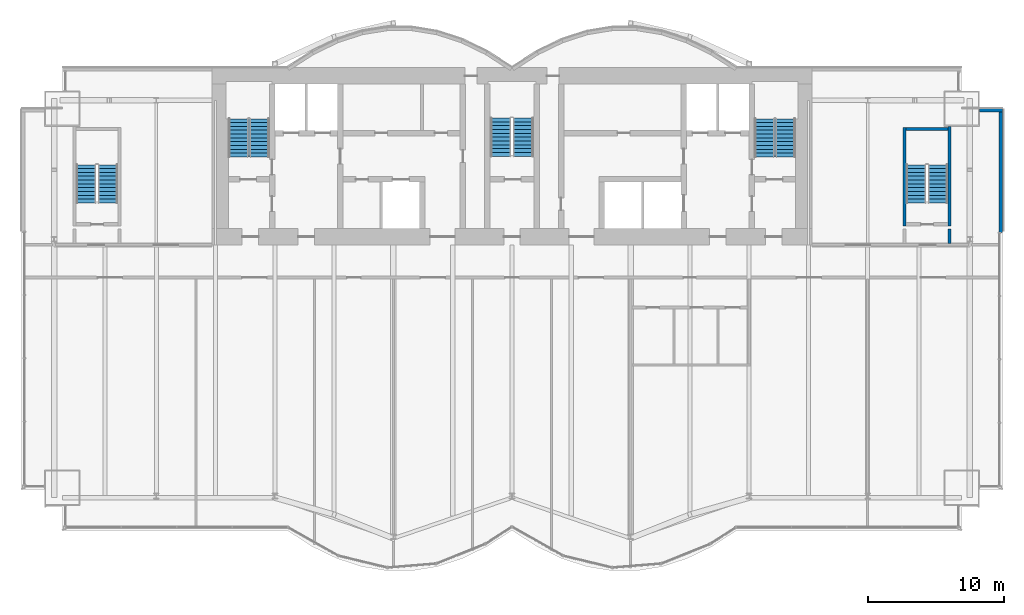
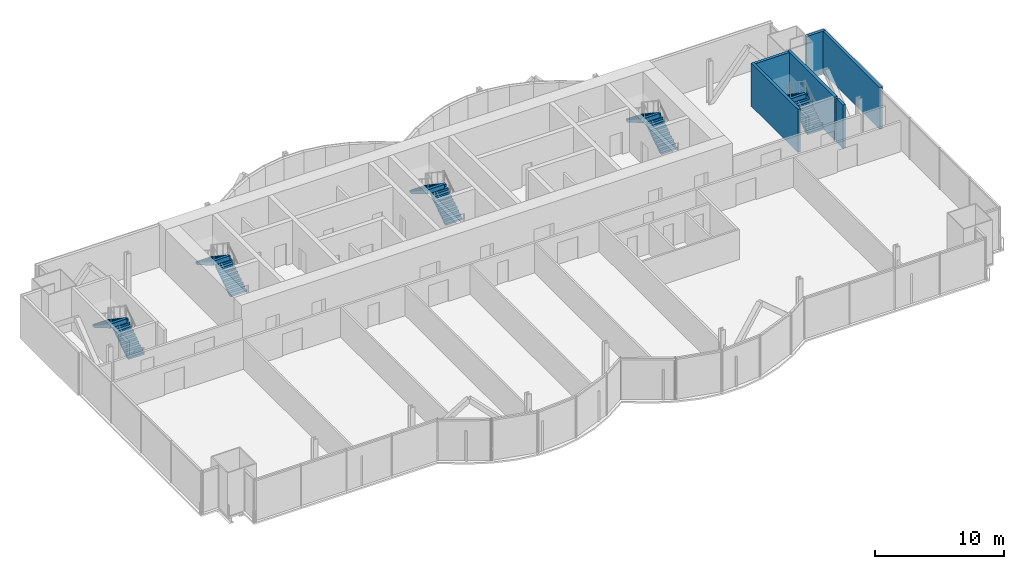
# One storey, part 17 of 20: 10 stair flights, 6 walls, 5 elements without a shape of their own.
"""IFC4 building model written with IfcOpenShell, lengths in metres."""

from ifc_helpers import new_model, si_unit, direction, frame, frame_2d, origin, place, context, subcontext, project, spatial, polyline, rectangle, outline, extrude, material, layer, layer_set, layer_usage, type_object, element, aggregate, save


model = new_model("IFC4")

# Units and contexts
model_context = context("Model", 3, precision=1e-05, world=origin(), true_north=direction((0.0, 1.0)))
body_context = subcontext(model_context, "Body", "Model", "MODEL_VIEW")
ifc_project = project(units=[si_unit("LENGTHUNIT", "METRE"), si_unit("AREAUNIT", "SQUARE_METRE"), si_unit("VOLUMEUNIT", "CUBIC_METRE"), si_unit("PLANEANGLEUNIT", "RADIAN"), si_unit("MASSUNIT", "GRAM", prefix="KILO")], contexts=[model_context])

# Site, building, storey
site_placement = place(None, origin())
site = spatial("IfcSite", under=ifc_project, at=site_placement, CompositionType="ELEMENT")
building_placement = place(site_placement, origin())
building = spatial("IfcBuilding", under=site, at=building_placement, Name="Bicima Exchange Tower", CompositionType="ELEMENT")
storey_placement = place(building_placement, frame((0.0, 0.0, 177.300048828125)))
storey = spatial("IfcBuildingStorey", under=building, at=storey_placement, Name="L39", CompositionType="ELEMENT", Elevation=177.300048828125)

# Walls
ifc_material_1 = material(Name="Concrete C50/60", Category="concrete")
ifc_layer_1 = layer(ifc_material_1, 0.25)
ifc_layer_set_1 = layer_set([ifc_layer_1], Name="Concrete C50/60")
wall_type_1 = type_object("IfcWallType", Name="RC core wall 250 C50/60", PredefinedType="SHEAR", material=ifc_layer_set_1)
wall_1_placement = place(storey_placement, frame((32.10009765625, -12.89990234375, 0.0), z_axis=(0.0, 0.0, 1.0), x_axis=(0.0, 1.0, 0.0)))
element("IfcWall", 1, at=wall_1_placement, inside=storey, type_object=wall_type_1, Name="stair wall 28", PredefinedType="SHEAR", context=body_context, shape_type="SweptSolid", body=[
    extrude(rectangle(XDim=1.0498046875, YDim=0.25, at=frame_2d((0.52490234375, 0.0))), origin(), (0.0, 0.0, 1.0), 4.099853515625),
])
ifc_layer_2 = layer(ifc_material_1, 0.25)
ifc_layer_set_2 = layer_set([ifc_layer_2], Name="Concrete C50/60")
wall_type_2 = type_object("IfcWallType", Name="RC stair enclosure wall 250 C50/60", PredefinedType="SHEAR", material=ifc_layer_set_2)
wall_2_placement = place(storey_placement, frame((28.800048828125, -11.625, 0.0), z_axis=(0.0, 0.0, 1.0), x_axis=(0.0, 1.0, 0.0)))
element("IfcWall", 2, at=wall_2_placement, inside=storey, type_object=wall_type_2, Name="East end exit stair wall W", PredefinedType="SHEAR", context=body_context, shape_type="SweptSolid", body=[
    extrude(rectangle(XDim=7.25, YDim=0.25, at=frame_2d((3.625, 0.0))), origin(), (0.0, 0.0, 1.0), 4.099853515625),
])
wall_3_placement = place(storey_placement, frame((32.10009765625, -11.625, 0.0), z_axis=(0.0, 0.0, 1.0), x_axis=(0.0, 1.0, 0.0)))
element("IfcWall", 3, at=wall_3_placement, inside=storey, type_object=wall_type_2, Name="East end exit stair wall E", PredefinedType="SHEAR", context=body_context, shape_type="SweptSolid", body=[
    extrude(rectangle(XDim=7.324951171875, YDim=0.25, at=frame_2d((3.66259765625, 0.0))), origin(), (0.0, 0.0, 1.0), 4.099853515625),
])
wall_4_placement = place(storey_placement, frame((28.925048828125, -4.5, 0.0), z_axis=(0.0, 0.0, 1.0), x_axis=(1.0, 0.0, 0.0)))
element("IfcWall", 4, at=wall_4_placement, inside=storey, type_object=wall_type_2, Name="East end exit stair wall N", PredefinedType="SHEAR", context=body_context, shape_type="SweptSolid", body=[
    extrude(rectangle(XDim=3.050048828125, YDim=0.25, at=frame_2d((1.52490234375, 0.0))), origin(), (0.0, 0.0, 1.0), 4.099853515625),
])
ifc_material_2 = material(Name="Concrete C40/50", Category="concrete")
ifc_layer_3 = layer(ifc_material_2, 0.25)
ifc_layer_set_3 = layer_set([ifc_layer_3], Name="Concrete C40/50")
ifc_layer_usage = layer_usage(ifc_layer_set_3, "AXIS2", "POSITIVE", -0.125)
wall_type_3 = type_object("IfcWallType", Name="Rear backup wall 250", PredefinedType="STANDARD", material=ifc_layer_set_3)
wall_5_placement = place(storey_placement, frame((35.875, -12.090087890625, 0.0), z_axis=(0.0, 0.0, 1.0), x_axis=(0.0, 1.0, 0.0)))
element("IfcWall", 5, at=wall_5_placement, inside=storey, type_object=wall_type_3, material=ifc_layer_usage, Name="Rear backup wall L39 50", PredefinedType="STANDARD", context=body_context, shape_type="SweptSolid", body=[
    extrude(rectangle(XDim=9.090087890625, YDim=0.25, at=frame_2d((4.544921875, 0.0))), origin(), (0.0, 0.0, 1.0), 3.949951171875),
])
wall_6_placement = place(storey_placement, frame((36.0, -3.125, 0.0), z_axis=(0.0, 0.0, 1.0), x_axis=(-1.0, 0.0, 0.0)))
element("IfcWall", 6, at=wall_6_placement, inside=storey, type_object=wall_type_3, material=ifc_layer_usage, Name="Rear backup wall L39 51", PredefinedType="STANDARD", context=body_context, shape_type="SweptSolid", body=[
    extrude(rectangle(XDim=1.699951171875, YDim=0.25, at=frame_2d((0.85009765625, 0.0))), origin(), (0.0, 0.0, 1.0), 3.949951171875),
])

# Stair, stair flights
stair_type_1 = type_object("IfcStairType", Name="Exit stair", PredefinedType="HALF_TURN_STAIR", material=ifc_material_1)
stair_1_placement = place(storey_placement, origin())
stair_1 = element("IfcStair", 7, at=stair_1_placement, inside=storey, type_object=stair_type_1, Name="L39 West exit stair", PredefinedType="HALF_TURN_STAIR")
stair_flight_type_1 = type_object("IfcStairFlightType", Name="Stair flight RC", PredefinedType="STRAIGHT", material=ifc_material_1)
stair_flight_1_placement = place(storey_placement, frame((-18.52490234375, -6.550048828125, 0.0), z_axis=(0.0, 0.0, 1.0), x_axis=(0.0, 1.0, 0.0)))
stair_flight_1 = element("IfcStairFlight", 8, at=stair_flight_1_placement, type_object=stair_flight_type_1, Name="ST-W flight 1", NumberOfRisers=11, NumberOfTreads=10, PredefinedType="STRAIGHT", RiserHeight=0.186363636, TreadLength=0.28, context=body_context, shape_type="SweptSolid", body=[
    extrude(outline(polyline([(0.0, 0.0), (0.0, 0.186279296875), (0.280029296875, 0.186279296875), (0.280029296875, 0.372802734375), (0.56005859375, 0.372802734375), (0.56005859375, 0.55908203125), (0.840087890625, 0.55908203125), (0.840087890625, 0.745361328125), (1.1201171875, 0.745361328125), (1.1201171875, 0.931884765625), (1.39990234375, 0.931884765625), (1.39990234375, 1.1181640625), (1.679931640625, 1.1181640625), (1.679931640625, 1.304443359375), (1.9599609375, 1.304443359375), (1.9599609375, 1.490966796875), (2.239990234375, 1.490966796875), (2.239990234375, 1.67724609375), (2.52001953125, 1.67724609375), (2.52001953125, 1.863525390625), (2.800048828125, 1.863525390625), (2.800048828125, 2.050048828125), (2.800048828125, 1.68359375), (0.2705078125, 0.0), (0.0, 0.0)])), frame((0.0, 0.72509765625, 0.0), z_axis=(0.0, -1.0, 0.0), x_axis=(1.0, 0.0, 0.0)), (0.0, 0.0, 1.0), 1.449951171875),
])
stair_flight_2_placement = place(storey_placement, frame((-20.074951171875, -3.75, 2.050048828125), z_axis=(0.0, 0.0, 1.0), x_axis=(0.0, -1.0, 0.0)))
stair_flight_2 = element("IfcStairFlight", 9, at=stair_flight_2_placement, type_object=stair_flight_type_1, Name="ST-W flight 2", NumberOfRisers=11, NumberOfTreads=10, PredefinedType="STRAIGHT", RiserHeight=0.186363636, TreadLength=0.28, context=body_context, shape_type="SweptSolid", body=[
    extrude(outline(polyline([(0.0, 0.0), (0.0, 0.186279296875), (0.280029296875, 0.186279296875), (0.280029296875, 0.372802734375), (0.56005859375, 0.372802734375), (0.56005859375, 0.55908203125), (0.840087890625, 0.55908203125), (0.840087890625, 0.745361328125), (1.1201171875, 0.745361328125), (1.1201171875, 0.931884765625), (1.39990234375, 0.931884765625), (1.39990234375, 1.1181640625), (1.679931640625, 1.1181640625), (1.679931640625, 1.304443359375), (1.9599609375, 1.304443359375), (1.9599609375, 1.490966796875), (2.239990234375, 1.490966796875), (2.239990234375, 1.67724609375), (2.52001953125, 1.67724609375), (2.52001953125, 1.863525390625), (2.800048828125, 1.863525390625), (2.800048828125, 1.904052734375), (2.81494140625, 1.904052734375), (2.81494140625, 1.507080078125), (0.2705078125, 0.0), (0.0, 0.0)])), frame((0.0, 0.72509765625, 0.0), z_axis=(0.0, -1.0, 0.0), x_axis=(1.0, 0.0, 0.0)), (0.0, 0.0, 1.0), 1.449951171875),
])
aggregate(stair_1, [stair_flight_1, stair_flight_2])

stair_2_placement = place(storey_placement, origin())
stair_2 = element("IfcStair", 10, at=stair_2_placement, inside=storey, type_object=stair_type_1, Name="L39 East exit stair", PredefinedType="HALF_TURN_STAIR")
stair_flight_3_placement = place(storey_placement, frame((20.074951171875, -6.550048828125, 0.0), z_axis=(0.0, 0.0, 1.0), x_axis=(0.0, 1.0, 0.0)))
stair_flight_3 = element("IfcStairFlight", 11, at=stair_flight_3_placement, type_object=stair_flight_type_1, Name="ST-E flight 1", NumberOfRisers=11, NumberOfTreads=10, PredefinedType="STRAIGHT", RiserHeight=0.186363636, TreadLength=0.28, context=body_context, shape_type="SweptSolid", body=[
    extrude(outline(polyline([(0.0, 0.0), (0.0, 0.186279296875), (0.280029296875, 0.186279296875), (0.280029296875, 0.372802734375), (0.56005859375, 0.372802734375), (0.56005859375, 0.55908203125), (0.840087890625, 0.55908203125), (0.840087890625, 0.745361328125), (1.1201171875, 0.745361328125), (1.1201171875, 0.931884765625), (1.39990234375, 0.931884765625), (1.39990234375, 1.1181640625), (1.679931640625, 1.1181640625), (1.679931640625, 1.304443359375), (1.9599609375, 1.304443359375), (1.9599609375, 1.490966796875), (2.239990234375, 1.490966796875), (2.239990234375, 1.67724609375), (2.52001953125, 1.67724609375), (2.52001953125, 1.863525390625), (2.800048828125, 1.863525390625), (2.800048828125, 2.050048828125), (2.800048828125, 1.68359375), (0.2705078125, 0.0), (0.0, 0.0)])), frame((0.0, 0.72509765625, 0.0), z_axis=(0.0, -1.0, 0.0), x_axis=(1.0, 0.0, 0.0)), (0.0, 0.0, 1.0), 1.449951171875),
])
stair_flight_4_placement = place(storey_placement, frame((18.52490234375, -3.75, 2.050048828125), z_axis=(0.0, 0.0, 1.0), x_axis=(0.0, -1.0, 0.0)))
stair_flight_4 = element("IfcStairFlight", 12, at=stair_flight_4_placement, type_object=stair_flight_type_1, Name="ST-E flight 2", NumberOfRisers=11, NumberOfTreads=10, PredefinedType="STRAIGHT", RiserHeight=0.186363636, TreadLength=0.28, context=body_context, shape_type="SweptSolid", body=[
    extrude(outline(polyline([(0.0, 0.0), (0.0, 0.186279296875), (0.280029296875, 0.186279296875), (0.280029296875, 0.372802734375), (0.56005859375, 0.372802734375), (0.56005859375, 0.55908203125), (0.840087890625, 0.55908203125), (0.840087890625, 0.745361328125), (1.1201171875, 0.745361328125), (1.1201171875, 0.931884765625), (1.39990234375, 0.931884765625), (1.39990234375, 1.1181640625), (1.679931640625, 1.1181640625), (1.679931640625, 1.304443359375), (1.9599609375, 1.304443359375), (1.9599609375, 1.490966796875), (2.239990234375, 1.490966796875), (2.239990234375, 1.67724609375), (2.52001953125, 1.67724609375), (2.52001953125, 1.863525390625), (2.800048828125, 1.863525390625), (2.800048828125, 1.904052734375), (2.81494140625, 1.904052734375), (2.81494140625, 1.507080078125), (0.2705078125, 0.0), (0.0, 0.0)])), frame((0.0, 0.72509765625, 0.0), z_axis=(0.0, -1.0, 0.0), x_axis=(1.0, 0.0, 0.0)), (0.0, 0.0, 1.0), 1.449951171875),
])
aggregate(stair_2, [stair_flight_3, stair_flight_4])

stair_3_placement = place(storey_placement, origin())
stair_3 = element("IfcStair", 13, at=stair_3_placement, inside=storey, type_object=stair_type_1, Name="L39 West end exit stair", PredefinedType="HALF_TURN_STAIR")
stair_flight_5_placement = place(storey_placement, frame((-29.64990234375, -9.925048828125, 0.0), z_axis=(0.0, 0.0, 1.0), x_axis=(0.0, 1.0, 0.0)))
stair_flight_5 = element("IfcStairFlight", 14, at=stair_flight_5_placement, type_object=stair_flight_type_1, Name="ST-WW flight 1", NumberOfRisers=11, NumberOfTreads=10, PredefinedType="STRAIGHT", RiserHeight=0.186363636, TreadLength=0.28, context=body_context, shape_type="SweptSolid", body=[
    extrude(outline(polyline([(0.0, 0.0), (0.0, 0.186279296875), (0.280029296875, 0.186279296875), (0.280029296875, 0.372802734375), (0.56005859375, 0.372802734375), (0.56005859375, 0.55908203125), (0.840087890625, 0.55908203125), (0.840087890625, 0.745361328125), (1.1201171875, 0.745361328125), (1.1201171875, 0.931884765625), (1.39990234375, 0.931884765625), (1.39990234375, 1.1181640625), (1.679931640625, 1.1181640625), (1.679931640625, 1.304443359375), (1.9599609375, 1.304443359375), (1.9599609375, 1.490966796875), (2.239990234375, 1.490966796875), (2.239990234375, 1.67724609375), (2.52001953125, 1.67724609375), (2.52001953125, 1.863525390625), (2.800048828125, 1.863525390625), (2.800048828125, 2.050048828125), (2.800048828125, 1.68359375), (0.2705078125, 0.0), (0.0, 0.0)])), frame((0.0, 0.72509765625, 0.0), z_axis=(0.0, -1.0, 0.0), x_axis=(1.0, 0.0, 0.0)), (0.0, 0.0, 1.0), 1.449951171875),
])
stair_flight_6_placement = place(storey_placement, frame((-31.25, -7.125, 2.050048828125), z_axis=(0.0, 0.0, 1.0), x_axis=(0.0, -1.0, 0.0)))
stair_flight_6 = element("IfcStairFlight", 15, at=stair_flight_6_placement, type_object=stair_flight_type_1, Name="ST-WW flight 2", NumberOfRisers=11, NumberOfTreads=10, PredefinedType="STRAIGHT", RiserHeight=0.186363636, TreadLength=0.28, context=body_context, shape_type="SweptSolid", body=[
    extrude(outline(polyline([(0.0, 0.0), (0.0, 0.186279296875), (0.280029296875, 0.186279296875), (0.280029296875, 0.372802734375), (0.56005859375, 0.372802734375), (0.56005859375, 0.55908203125), (0.840087890625, 0.55908203125), (0.840087890625, 0.745361328125), (1.1201171875, 0.745361328125), (1.1201171875, 0.931884765625), (1.39990234375, 0.931884765625), (1.39990234375, 1.1181640625), (1.679931640625, 1.1181640625), (1.679931640625, 1.304443359375), (1.9599609375, 1.304443359375), (1.9599609375, 1.490966796875), (2.239990234375, 1.490966796875), (2.239990234375, 1.67724609375), (2.52001953125, 1.67724609375), (2.52001953125, 1.863525390625), (2.800048828125, 1.863525390625), (2.800048828125, 1.904052734375), (2.81494140625, 1.904052734375), (2.81494140625, 1.507080078125), (0.2705078125, 0.0), (0.0, 0.0)])), frame((0.0, 0.72509765625, 0.0), z_axis=(0.0, -1.0, 0.0), x_axis=(1.0, 0.0, 0.0)), (0.0, 0.0, 1.0), 1.449951171875),
])
aggregate(stair_3, [stair_flight_5, stair_flight_6])

stair_4_placement = place(storey_placement, origin())
stair_4 = element("IfcStair", 16, at=stair_4_placement, inside=storey, type_object=stair_type_1, Name="L39 East end exit stair", PredefinedType="HALF_TURN_STAIR")
stair_flight_7_placement = place(storey_placement, frame((31.25, -9.925048828125, 0.0), z_axis=(0.0, 0.0, 1.0), x_axis=(0.0, 1.0, 0.0)))
stair_flight_7 = element("IfcStairFlight", 17, at=stair_flight_7_placement, type_object=stair_flight_type_1, Name="ST-EE flight 1", NumberOfRisers=11, NumberOfTreads=10, PredefinedType="STRAIGHT", RiserHeight=0.186363636, TreadLength=0.28, context=body_context, shape_type="SweptSolid", body=[
    extrude(outline(polyline([(0.0, 0.0), (0.0, 0.186279296875), (0.280029296875, 0.186279296875), (0.280029296875, 0.372802734375), (0.56005859375, 0.372802734375), (0.56005859375, 0.55908203125), (0.840087890625, 0.55908203125), (0.840087890625, 0.745361328125), (1.1201171875, 0.745361328125), (1.1201171875, 0.931884765625), (1.39990234375, 0.931884765625), (1.39990234375, 1.1181640625), (1.679931640625, 1.1181640625), (1.679931640625, 1.304443359375), (1.9599609375, 1.304443359375), (1.9599609375, 1.490966796875), (2.239990234375, 1.490966796875), (2.239990234375, 1.67724609375), (2.52001953125, 1.67724609375), (2.52001953125, 1.863525390625), (2.800048828125, 1.863525390625), (2.800048828125, 2.050048828125), (2.800048828125, 1.68359375), (0.2705078125, 0.0), (0.0, 0.0)])), frame((0.0, 0.72509765625, 0.0), z_axis=(0.0, -1.0, 0.0), x_axis=(1.0, 0.0, 0.0)), (0.0, 0.0, 1.0), 1.449951171875),
])
stair_flight_8_placement = place(storey_placement, frame((29.64990234375, -7.125, 2.050048828125), z_axis=(0.0, 0.0, 1.0), x_axis=(0.0, -1.0, 0.0)))
stair_flight_8 = element("IfcStairFlight", 18, at=stair_flight_8_placement, type_object=stair_flight_type_1, Name="ST-EE flight 2", NumberOfRisers=11, NumberOfTreads=10, PredefinedType="STRAIGHT", RiserHeight=0.186363636, TreadLength=0.28, context=body_context, shape_type="SweptSolid", body=[
    extrude(outline(polyline([(0.0, 0.0), (0.0, 0.186279296875), (0.280029296875, 0.186279296875), (0.280029296875, 0.372802734375), (0.56005859375, 0.372802734375), (0.56005859375, 0.55908203125), (0.840087890625, 0.55908203125), (0.840087890625, 0.745361328125), (1.1201171875, 0.745361328125), (1.1201171875, 0.931884765625), (1.39990234375, 0.931884765625), (1.39990234375, 1.1181640625), (1.679931640625, 1.1181640625), (1.679931640625, 1.304443359375), (1.9599609375, 1.304443359375), (1.9599609375, 1.490966796875), (2.239990234375, 1.490966796875), (2.239990234375, 1.67724609375), (2.52001953125, 1.67724609375), (2.52001953125, 1.863525390625), (2.800048828125, 1.863525390625), (2.800048828125, 1.904052734375), (2.81494140625, 1.904052734375), (2.81494140625, 1.507080078125), (0.2705078125, 0.0), (0.0, 0.0)])), frame((0.0, 0.72509765625, 0.0), z_axis=(0.0, -1.0, 0.0), x_axis=(1.0, 0.0, 0.0)), (0.0, 0.0, 1.0), 1.449951171875),
])
aggregate(stair_4, [stair_flight_7, stair_flight_8])

stair_type_2 = type_object("IfcStairType", Name="Exit stair 1500", PredefinedType="HALF_TURN_STAIR", material=ifc_material_1)
stair_5_placement = place(storey_placement, origin())
stair_5 = element("IfcStair", 19, at=stair_5_placement, inside=storey, type_object=stair_type_2, Name="L39 Central exit stair", PredefinedType="HALF_TURN_STAIR")
stair_flight_type_2 = type_object("IfcStairFlightType", Name="Stair flight RC 1500", PredefinedType="STRAIGHT", material=ifc_material_1)
stair_flight_9_placement = place(storey_placement, frame((0.824951171875, -6.5, 0.0), z_axis=(0.0, 0.0, 1.0), x_axis=(0.0, 1.0, 0.0)))
stair_flight_9 = element("IfcStairFlight", 20, at=stair_flight_9_placement, type_object=stair_flight_type_2, Name="ST-C flight 1", NumberOfRisers=11, NumberOfTreads=10, PredefinedType="STRAIGHT", RiserHeight=0.186363636, TreadLength=0.28, context=body_context, shape_type="SweptSolid", body=[
    extrude(outline(polyline([(0.0, 0.0), (0.0, 0.186279296875), (0.280029296875, 0.186279296875), (0.280029296875, 0.372802734375), (0.56005859375, 0.372802734375), (0.56005859375, 0.55908203125), (0.840087890625, 0.55908203125), (0.840087890625, 0.745361328125), (1.1201171875, 0.745361328125), (1.1201171875, 0.931884765625), (1.39990234375, 0.931884765625), (1.39990234375, 1.1181640625), (1.679931640625, 1.1181640625), (1.679931640625, 1.304443359375), (1.9599609375, 1.304443359375), (1.9599609375, 1.490966796875), (2.239990234375, 1.490966796875), (2.239990234375, 1.67724609375), (2.52001953125, 1.67724609375), (2.52001953125, 1.863525390625), (2.800048828125, 1.863525390625), (2.800048828125, 2.050048828125), (2.800048828125, 1.68359375), (0.2705078125, 0.0), (0.0, 0.0)])), frame((0.0, 0.75, 0.0), z_axis=(0.0, -1.0, 0.0), x_axis=(1.0, 0.0, 0.0)), (0.0, 0.0, 1.0), 1.5),
])
stair_flight_10_placement = place(storey_placement, frame((-0.824951171875, -3.699951171875, 2.050048828125), z_axis=(0.0, 0.0, 1.0), x_axis=(0.0, -1.0, 0.0)))
stair_flight_10 = element("IfcStairFlight", 21, at=stair_flight_10_placement, type_object=stair_flight_type_2, Name="ST-C flight 2", NumberOfRisers=11, NumberOfTreads=10, PredefinedType="STRAIGHT", RiserHeight=0.186363636, TreadLength=0.28, context=body_context, shape_type="SweptSolid", body=[
    extrude(outline(polyline([(0.0, 0.0), (0.0, 0.186279296875), (0.280029296875, 0.186279296875), (0.280029296875, 0.372802734375), (0.56005859375, 0.372802734375), (0.56005859375, 0.55908203125), (0.840087890625, 0.55908203125), (0.840087890625, 0.745361328125), (1.1201171875, 0.745361328125), (1.1201171875, 0.931884765625), (1.39990234375, 0.931884765625), (1.39990234375, 1.1181640625), (1.679931640625, 1.1181640625), (1.679931640625, 1.304443359375), (1.9599609375, 1.304443359375), (1.9599609375, 1.490966796875), (2.239990234375, 1.490966796875), (2.239990234375, 1.67724609375), (2.52001953125, 1.67724609375), (2.52001953125, 1.863525390625), (2.800048828125, 1.863525390625), (2.800048828125, 1.904052734375), (2.81494140625, 1.904052734375), (2.81494140625, 1.507080078125), (0.2705078125, 0.0), (0.0, 0.0)])), frame((0.0, 0.75, 0.0), z_axis=(0.0, -1.0, 0.0), x_axis=(1.0, 0.0, 0.0)), (0.0, 0.0, 1.0), 1.5),
])
aggregate(stair_5, [stair_flight_9, stair_flight_10])

save(model, "model.ifc")
